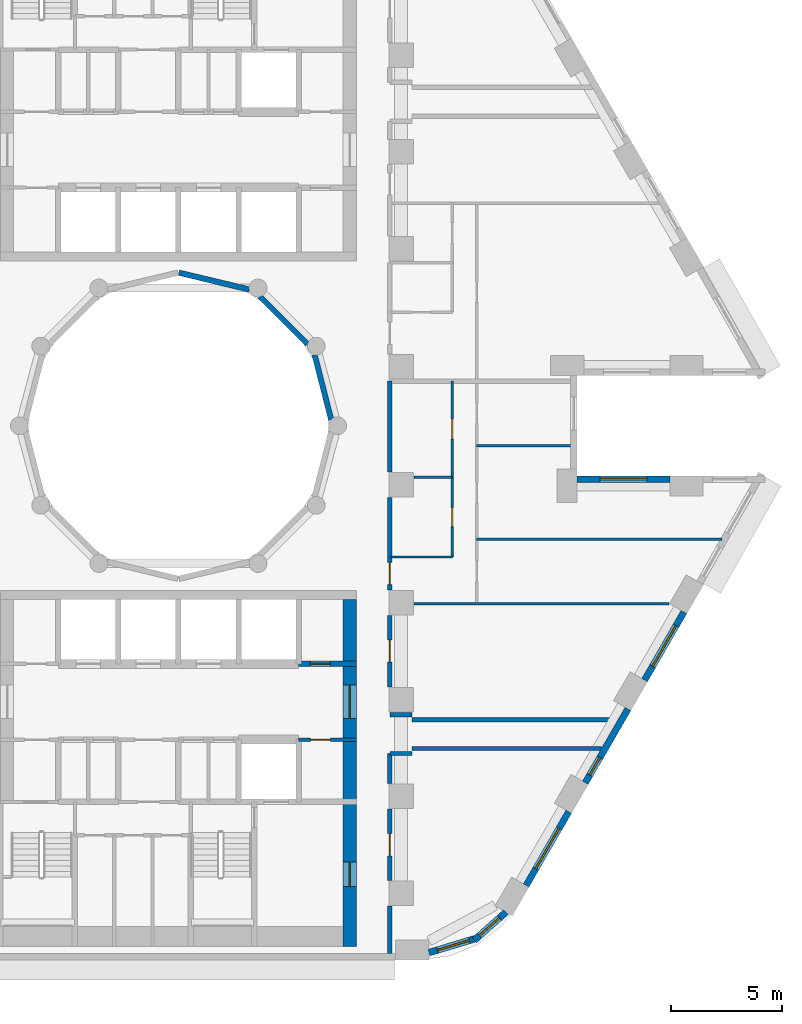
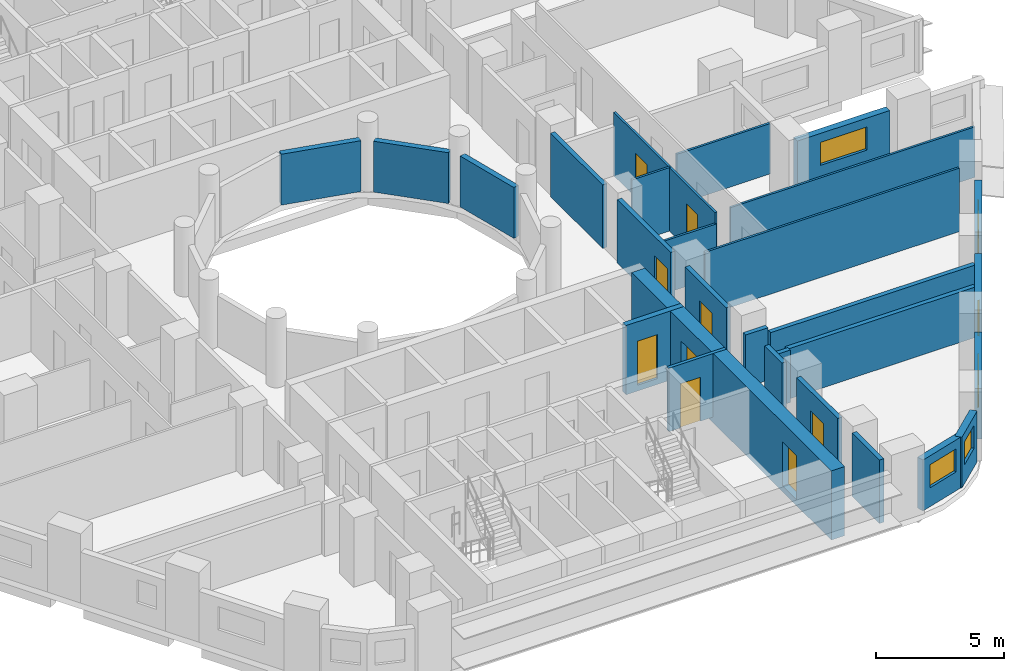
# One storey, part 5 of 13: 28 walls, 9 doors, 6 windows, 15 openings.
"""IFC4 building model written with IfcOpenShell, lengths in metres."""

from ifc_helpers import new_model, si_unit, direction, frame, frame_2d, origin, place, context, subcontext, project, spatial, rectangle, extrude, material, layer, layer_set, type_object, element, fill, save


model = new_model("IFC4")

# Units and contexts
model_context = context("Model", 3, precision=1e-05, world=origin(), true_north=direction((0.0, 1.0)))
body_context = subcontext(model_context, "Body", "Model", "MODEL_VIEW")
ifc_project = project(units=[si_unit("LENGTHUNIT", "METRE"), si_unit("AREAUNIT", "SQUARE_METRE"), si_unit("VOLUMEUNIT", "CUBIC_METRE"), si_unit("PLANEANGLEUNIT", "RADIAN"), si_unit("MASSUNIT", "GRAM", prefix="KILO")], contexts=[model_context])

# Site, building, storey
site_placement = place(None, origin())
site = spatial("IfcSite", under=ifc_project, at=site_placement, CompositionType="ELEMENT")
building_placement = place(site_placement, origin())
building = spatial("IfcBuilding", under=site, at=building_placement, Name="Nakaniwa Court", CompositionType="ELEMENT")
storey_placement = place(building_placement, frame((0.0, 0.0, 41.39990234375)))
storey = spatial("IfcBuildingStorey", under=building, at=storey_placement, Name="L10", CompositionType="ELEMENT", Elevation=41.39990234375)

# Wall
ifc_material_1 = material(Name="Acoustic double stud partition")
ifc_layer_1 = layer(ifc_material_1, 0.199951171875)
ifc_layer_set_1 = layer_set([ifc_layer_1], Name="Acoustic double stud partition")
wall_type_1 = type_object("IfcWallType", Name="Acoustic double stud partition 200", PredefinedType="PARTITIONING", material=ifc_layer_set_1)
wall_1_placement = place(storey_placement, frame((89.5, 56.300048828125, 0.0), z_axis=(0.0, 0.0, 1.0), x_axis=(0.0, 1.0, 0.0)))
element("IfcWall", 1, at=wall_1_placement, inside=storey, type_object=wall_type_1, Name="Partition PW-073", PredefinedType="PARTITIONING", context=body_context, shape_type="SweptSolid", body=[
    extrude(rectangle(XDim=2.133056640625, YDim=0.199951171875, at=frame_2d((1.06640625, 0.0))), origin(), (0.0, 0.0, 1.0), 3.025146484375),
])

# Wall, opening, door
wall_2_placement = place(storey_placement, frame((89.5, 62.782958984375, 0.0), z_axis=(0.0, 0.0, 1.0), x_axis=(0.0, -1.0, 0.0)))
wall_2 = element("IfcWall", 2, at=wall_2_placement, inside=storey, type_object=wall_type_1, Name="Partition PW-074", PredefinedType="PARTITIONING", context=body_context, shape_type="SweptSolid", body=[
    extrude(rectangle(XDim=3.216064453125, YDim=0.199951171875, at=frame_2d((1.60791015625, 0.0))), origin(), (0.0, 0.0, 1.0), 3.025146484375),
])
opening_1_placement = place(wall_2_placement, frame((1.10791015625, 0.0, 0.0)))
opening_1 = element("IfcOpeningElement", 3, at=opening_1_placement, cuts=wall_2, Name="Opening D-02-01", PredefinedType="OPENING", context=body_context, shape_type="SweptSolid", body=[
    extrude(rectangle(XDim=1.0, YDim=2.10009765625, at=frame_2d((0.5, 1.050048828125))), frame((0.0, 0.10986328125, 0.0), z_axis=(0.0, -1.0, 0.0), x_axis=(1.0, 0.0, 0.0)), (0.0, 0.0, 1.0), 0.219970703125),
])
ifc_material_2 = material(Name="Solid core timber door set, black veneer", Category="wood")
door_type_1 = type_object("IfcDoorType", Name="Internal door 1000", OperationType="NOTDEFINED", PredefinedType="DOOR", material=ifc_material_2)
door_1_placement = place(opening_1_placement, origin())
door_1 = element("IfcDoor", 4, at=door_1_placement, inside=storey, type_object=door_type_1, Name="Door D-02-01 L10-031", OperationType="SINGLE_SWING_RIGHT", OverallHeight=2.10009765625, OverallWidth=1.0, PredefinedType="DOOR", context=body_context, shape_type="SweptSolid", body=[
    extrude(rectangle(XDim=1.0, YDim=2.10009765625, at=frame_2d((0.5, 1.050048828125))), frame((0.0, 0.02490234375, 0.0), z_axis=(0.0, -1.0, 0.0), x_axis=(1.0, 0.0, 0.0)), (0.0, 0.0, 1.0), 0.050048828125),
])
fill(opening_1, door_1)

# Wall
wall_3_placement = place(storey_placement, frame((89.5, 63.9169921875, 0.0), z_axis=(0.0, 0.0, 1.0), x_axis=(0.0, 1.0, 0.0)))
element("IfcWall", 5, at=wall_3_placement, inside=storey, type_object=wall_type_1, Name="Partition PW-075", PredefinedType="PARTITIONING", context=body_context, shape_type="SweptSolid", body=[
    extrude(rectangle(XDim=1.361083984375, YDim=0.199951171875, at=frame_2d((0.6806640625, 0.0))), origin(), (0.0, 0.0, 1.0), 3.025146484375),
])

# Wall, opening, door
wall_4_placement = place(storey_placement, frame((89.5, 71.48291015625, 0.0), z_axis=(0.0, 0.0, 1.0), x_axis=(0.0, -1.0, 0.0)))
wall_4 = element("IfcWall", 6, at=wall_4_placement, inside=storey, type_object=wall_type_1, Name="Partition PW-076", PredefinedType="PARTITIONING", context=body_context, shape_type="SweptSolid", body=[
    extrude(rectangle(XDim=3.2158203125, YDim=0.199951171875, at=frame_2d((1.60791015625, 0.0))), origin(), (0.0, 0.0, 1.0), 3.025146484375),
])
opening_2_placement = place(wall_4_placement, frame((1.10791015625, 0.0, 0.0)))
opening_2 = element("IfcOpeningElement", 7, at=opening_2_placement, cuts=wall_4, Name="Opening D-02-05", PredefinedType="OPENING", context=body_context, shape_type="SweptSolid", body=[
    extrude(rectangle(XDim=1.0, YDim=2.10009765625, at=frame_2d((0.5, 1.050048828125))), frame((0.0, 0.10986328125, 0.0), z_axis=(0.0, -1.0, 0.0), x_axis=(1.0, 0.0, 0.0)), (0.0, 0.0, 1.0), 0.219970703125),
])
door_2_placement = place(opening_2_placement, origin())
door_2 = element("IfcDoor", 8, at=door_2_placement, inside=storey, type_object=door_type_1, Name="Door D-02-05 L10-057", OperationType="SINGLE_SWING_RIGHT", OverallHeight=2.10009765625, OverallWidth=1.0, PredefinedType="DOOR", context=body_context, shape_type="SweptSolid", body=[
    extrude(rectangle(XDim=1.0, YDim=2.10009765625, at=frame_2d((0.5, 1.050048828125))), frame((0.0, 0.02490234375, 0.0), z_axis=(0.0, -1.0, 0.0), x_axis=(1.0, 0.0, 0.0)), (0.0, 0.0, 1.0), 0.050048828125),
])
fill(opening_2, door_2)

wall_5_placement = place(storey_placement, frame((89.5, 76.782958984375, 0.0), z_axis=(0.0, 0.0, 1.0), x_axis=(0.0, -1.0, 0.0)))
wall_5 = element("IfcWall", 9, at=wall_5_placement, inside=storey, type_object=wall_type_1, Name="Partition PW-077", PredefinedType="PARTITIONING", context=body_context, shape_type="SweptSolid", body=[
    extrude(rectangle(XDim=4.166015625, YDim=0.199951171875, at=frame_2d((2.0830078125, 0.0))), origin(), (0.0, 0.0, 1.0), 3.025146484375),
])
opening_3_placement = place(wall_5_placement, frame((2.923095703125, 0.0, 0.0)))
opening_3 = element("IfcOpeningElement", 10, at=opening_3_placement, cuts=wall_5, Name="Opening D-01-01", PredefinedType="OPENING", context=body_context, shape_type="SweptSolid", body=[
    extrude(rectangle(XDim=1.0, YDim=2.10009765625, at=frame_2d((0.5, 1.050048828125))), frame((0.0, 0.10986328125, 0.0), z_axis=(0.0, -1.0, 0.0), x_axis=(1.0, 0.0, 0.0)), (0.0, 0.0, 1.0), 0.219970703125),
])
door_type_2 = type_object("IfcDoorType", Name="Flat entrance door 1000", OperationType="NOTDEFINED", PredefinedType="DOOR", material=ifc_material_2)
door_3_placement = place(opening_3_placement, origin())
door_3 = element("IfcDoor", 11, at=door_3_placement, inside=storey, type_object=door_type_2, Name="Door D-01-01 L10-032", OperationType="SINGLE_SWING_LEFT", OverallHeight=2.10009765625, OverallWidth=1.0, PredefinedType="DOOR", context=body_context, shape_type="SweptSolid", body=[
    extrude(rectangle(XDim=1.0, YDim=2.10009765625, at=frame_2d((0.5, 1.050048828125))), frame((0.0, 0.02490234375, 0.0), z_axis=(0.0, -1.0, 0.0), x_axis=(1.0, 0.0, 0.0)), (0.0, 0.0, 1.0), 0.050048828125),
])
fill(opening_3, door_3)

# Walls
wall_6_placement = place(storey_placement, frame((89.5, 77.9169921875, 0.0), z_axis=(0.0, 0.0, 1.0), x_axis=(0.0, 1.0, 0.0)))
element("IfcWall", 12, at=wall_6_placement, inside=storey, type_object=wall_type_1, Name="Partition PW-078", PredefinedType="PARTITIONING", context=body_context, shape_type="SweptSolid", body=[
    extrude(rectangle(XDim=4.0859375, YDim=0.199951171875, at=frame_2d((2.04296875, 0.0))), origin(), (0.0, 0.0, 1.0), 3.025146484375),
])
wall_7_placement = place(storey_placement, frame((90.5, 65.5, 0.0), z_axis=(0.0, 0.0, 1.0), x_axis=(1.0, 0.0, 0.0)))
element("IfcWall", 13, at=wall_7_placement, inside=storey, type_object=wall_type_1, Name="Partition PW-094", PredefinedType="PARTITIONING", context=body_context, shape_type="SweptSolid", body=[
    extrude(rectangle(XDim=8.494873046875, YDim=0.199951171875, at=frame_2d((4.24755859375, 0.0))), origin(), (0.0, 0.0, 1.0), 2.405029296875),
])
for number, where, z_axis, x_axis, name in (
    (14, (89.5, 65.27490234375, 0.0), (0.0, 0.0, 1.0), (1.0, 0.0, 0.0), "Partition PW-096"),
    (15, (89.5, 67.02490234375, 0.0), (0.0, 0.0, 1.0), (1.0, 0.0, 0.0), "Partition PW-098"),
):
    element("IfcWall", number, at=place(storey_placement, frame(where, z_axis=z_axis, x_axis=x_axis)), inside=storey, type_object=wall_type_1, Name=name, PredefinedType="PARTITIONING", context=body_context, shape_type="SweptSolid", body=[
        extrude(rectangle(XDim=1.0, YDim=0.199951171875, at=frame_2d((0.5, 0.0))), origin(), (0.0, 0.0, 1.0), 2.505126953125),
    ])
wall_8_placement = place(storey_placement, frame((90.5, 66.800048828125, 0.0), z_axis=(0.0, 0.0, 1.0), x_axis=(1.0, 0.0, 0.0)))
element("IfcWall", 16, at=wall_8_placement, inside=storey, type_object=wall_type_1, Name="Partition PW-100", PredefinedType="PARTITIONING", context=body_context, shape_type="SweptSolid", body=[
    extrude(rectangle(XDim=9.245361328125, YDim=0.199951171875, at=frame_2d((4.62255859375, 0.0))), origin(), (0.0, 0.0, 1.0), 2.405029296875),
])

# Wall, opening, window
ifc_material_3 = material(Name="Charcoal ceramic cladding")
ifc_layer_2 = layer(ifc_material_3, 0.02, Name="Ceramic cladding")
ifc_material_4 = material(Name="Ventilated air cavity")
ifc_layer_3 = layer(ifc_material_4, 0.04, ventilated=True, Name="Ventilated cavity")
ifc_material_5 = material(Name="Mineral wool insulation")
ifc_layer_4 = layer(ifc_material_5, 0.1, Name="Insulation")
ifc_material_6 = material(Name="Cement bonded sheathing board")
ifc_layer_5 = layer(ifc_material_6, 0.012, Name="Sheathing")
ifc_material_7 = material(Name="Cold-formed galvanised stud frame with mineral wool infill")
ifc_layer_6 = layer(ifc_material_7, 0.1, Name="Stud frame")
ifc_material_8 = material(Name="Fire-rated gypsum plasterboard lining")
ifc_layer_7 = layer(ifc_material_8, 0.028, Name="Lining")
ifc_layer_set_2 = layer_set([ifc_layer_2, ifc_layer_3, ifc_layer_4, ifc_layer_5, ifc_layer_6, ifc_layer_7], Name="Charcoal ceramic faced external wall system")
wall_type_2 = type_object("IfcWallType", Name="Black ceramic faced external wall 300", PredefinedType="SOLIDWALL", material=ifc_layer_set_2)
wall_9_placement = place(storey_placement, frame((91.25341796875, 56.331298828125, 0.0), z_axis=(0.0, 0.0, 1.0), x_axis=(0.957433631901, 0.288653495569, 0.0)))
wall_9 = element("IfcWall", 17, at=wall_9_placement, inside=storey, type_object=wall_type_2, Name="L10 external wall 27", PredefinedType="SOLIDWALL", context=body_context, shape_type="SweptSolid", body=[
    extrude(rectangle(XDim=2.212646484375, YDim=0.300048828125, at=frame_2d((1.1064453125, 0.0))), origin(), (0.0, 0.0, 1.0), 2.425048828125),
])
opening_4_placement = place(wall_9_placement, frame((0.394287109375, 0.0, 0.89990234375)))
opening_4 = element("IfcOpeningElement", 18, at=opening_4_placement, cuts=wall_9, Name="Opening W5.26", PredefinedType="OPENING", context=body_context, shape_type="SweptSolid", body=[
    extrude(rectangle(XDim=1.5, YDim=1.10009765625, at=frame_2d((0.75, 0.550048828125))), frame((0.0, 0.159912109375, 0.0), z_axis=(0.0, -1.0, 0.0), x_axis=(1.0, 0.0, 0.0)), (0.0, 0.0, 1.0), 0.320068359375),
])
ifc_material_9 = material(Name="Black anodised aluminium frame with dark low-E laminated double glazing", Category="aluminium")
window_type_1 = type_object("IfcWindowType", Name="Dark glass window 1500x1100 sill 900", PartitioningType="SINGLE_PANEL", PredefinedType="WINDOW", material=ifc_material_9)
window_1_placement = place(opening_4_placement, origin())
window_1 = element("IfcWindow", 19, at=window_1_placement, inside=storey, type_object=window_type_1, Name="L10 habitable room window 27-0", OverallHeight=1.10009765625, OverallWidth=1.5, PartitioningType="SINGLE_PANEL", PredefinedType="WINDOW", context=body_context, shape_type="SweptSolid", body=[
    extrude(rectangle(XDim=1.5, YDim=1.10009765625, at=frame_2d((0.75, 0.550048828125))), frame((0.0, 0.030029296875, 0.0), z_axis=(0.0, -1.0, 0.0), x_axis=(1.0, 0.0, 0.0)), (0.0, 0.0, 1.0), 0.06005859375),
])
fill(opening_4, window_1)

wall_10_placement = place(storey_placement, frame((93.288818359375, 56.882568359375, 0.0), z_axis=(0.0, 0.0, 1.0), x_axis=(0.746941556212, 0.664889698825, 0.0)))
wall_10 = element("IfcWall", 20, at=wall_10_placement, inside=storey, type_object=wall_type_2, Name="L10 external wall 28", PredefinedType="SOLIDWALL", context=body_context, shape_type="SweptSolid", body=[
    extrude(rectangle(XDim=1.9013671875, YDim=0.300048828125, at=frame_2d((0.95068359375, 0.0))), origin(), (0.0, 0.0, 1.0), 2.425048828125),
])
opening_5_placement = place(wall_10_placement, frame((0.31005859375, 0.0, 0.89990234375)))
opening_5 = element("IfcOpeningElement", 21, at=opening_5_placement, cuts=wall_10, Name="Opening W6.27", PredefinedType="OPENING", context=body_context, shape_type="SweptSolid", body=[
    extrude(rectangle(XDim=1.199951171875, YDim=1.10009765625, at=frame_2d((0.60009765625, 0.550048828125))), frame((0.0, 0.159912109375, 0.0), z_axis=(0.0, -1.0, 0.0), x_axis=(1.0, 0.0, 0.0)), (0.0, 0.0, 1.0), 0.320068359375),
])
window_type_2 = type_object("IfcWindowType", Name="Dark glass window 1200x1100 sill 900", PartitioningType="SINGLE_PANEL", PredefinedType="WINDOW", material=ifc_material_9)
window_2_placement = place(opening_5_placement, origin())
window_2 = element("IfcWindow", 22, at=window_2_placement, inside=storey, type_object=window_type_2, Name="L10 habitable room window 28-0", OverallHeight=1.10009765625, OverallWidth=1.199951171875, PartitioningType="SINGLE_PANEL", PredefinedType="WINDOW", context=body_context, shape_type="SweptSolid", body=[
    extrude(rectangle(XDim=1.199951171875, YDim=1.10009765625, at=frame_2d((0.60009765625, 0.550048828125))), frame((0.0, 0.030029296875, 0.0), z_axis=(0.0, -1.0, 0.0), x_axis=(1.0, 0.0, 0.0)), (0.0, 0.0, 1.0), 0.06005859375),
])
fill(opening_5, window_2)

wall_11_placement = place(storey_placement, frame((95.615234375, 59.346435546875, 0.0), z_axis=(0.0, 0.0, 1.0), x_axis=(0.499974163209, 0.866040320149, 0.0)))
wall_11 = element("IfcWall", 23, at=wall_11_placement, inside=storey, type_object=wall_type_2, Name="L10 external wall 29", PredefinedType="SOLIDWALL", context=body_context, shape_type="SweptSolid", body=[
    extrude(rectangle(XDim=3.834228515625, YDim=0.300048828125, at=frame_2d((1.9169921875, 0.0))), origin(), (0.0, 0.0, 1.0), 2.425048828125),
])
opening_6_placement = place(wall_11_placement, frame((0.8671875, 0.0, 0.89990234375)))
opening_6 = element("IfcOpeningElement", 24, at=opening_6_placement, cuts=wall_11, Name="Opening W7.28", PredefinedType="OPENING", context=body_context, shape_type="SweptSolid", body=[
    extrude(rectangle(XDim=2.10009765625, YDim=1.10009765625, at=frame_2d((1.050048828125, 0.550048828125))), frame((0.0, 0.159912109375, 0.0), z_axis=(0.0, -1.0, 0.0), x_axis=(1.0, 0.0, 0.0)), (0.0, 0.0, 1.0), 0.320068359375),
])
window_type_3 = type_object("IfcWindowType", Name="Dark glass window 2100x1100 sill 900", PartitioningType="SINGLE_PANEL", PredefinedType="WINDOW", material=ifc_material_9)
window_3_placement = place(opening_6_placement, origin())
window_3 = element("IfcWindow", 25, at=window_3_placement, inside=storey, type_object=window_type_3, Name="L10 habitable room window 29-0", OverallHeight=1.10009765625, OverallWidth=2.10009765625, PartitioningType="SINGLE_PANEL", PredefinedType="WINDOW", context=body_context, shape_type="SweptSolid", body=[
    extrude(rectangle(XDim=2.10009765625, YDim=1.10009765625, at=frame_2d((1.050048828125, 0.550048828125))), frame((0.0, 0.030029296875, 0.0), z_axis=(0.0, -1.0, 0.0), x_axis=(1.0, 0.0, 0.0)), (0.0, 0.0, 1.0), 0.06005859375),
])
fill(opening_6, window_3)

wall_12_placement = place(storey_placement, frame((98.2783203125, 63.958984375, 0.0), z_axis=(0.0, 0.0, 1.0), x_axis=(0.500001735503, 0.866024401789, 0.0)))
wall_12 = element("IfcWall", 26, at=wall_12_placement, inside=storey, type_object=wall_type_2, Name="L10 external wall 30", PredefinedType="SOLIDWALL", context=body_context, shape_type="SweptSolid", body=[
    extrude(rectangle(XDim=3.833984375, YDim=0.300048828125, at=frame_2d((1.9169921875, 0.0))), origin(), (0.0, 0.0, 1.0), 2.425048828125),
])
opening_7_placement = place(wall_12_placement, frame((0.402587890625, 0.0, 0.89990234375)))
opening_7 = element("IfcOpeningElement", 27, at=opening_7_placement, cuts=wall_12, Name="Opening W9.29", PredefinedType="OPENING", context=body_context, shape_type="SweptSolid", body=[
    extrude(rectangle(XDim=0.89990234375, YDim=1.10009765625, at=frame_2d((0.449951171875, 0.550048828125))), frame((0.0, 0.159912109375, 0.0), z_axis=(0.0, -1.0, 0.0), x_axis=(1.0, 0.0, 0.0)), (0.0, 0.0, 1.0), 0.320068359375),
])
window_type_4 = type_object("IfcWindowType", Name="Dark glass window 900x1100 sill 900", PartitioningType="SINGLE_PANEL", PredefinedType="WINDOW", material=ifc_material_9)
window_4_placement = place(opening_7_placement, origin())
window_4 = element("IfcWindow", 28, at=window_4_placement, inside=storey, type_object=window_type_4, Name="L10 habitable room window 30-0", OverallHeight=1.10009765625, OverallWidth=0.89990234375, PartitioningType="SINGLE_PANEL", PredefinedType="WINDOW", context=body_context, shape_type="SweptSolid", body=[
    extrude(rectangle(XDim=0.89990234375, YDim=1.10009765625, at=frame_2d((0.449951171875, 0.550048828125))), frame((0.0, 0.030029296875, 0.0), z_axis=(0.0, -1.0, 0.0), x_axis=(1.0, 0.0, 0.0)), (0.0, 0.0, 1.0), 0.06005859375),
])
fill(opening_7, window_4)

wall_13_placement = place(storey_placement, frame((100.94140625, 68.5712890625, 0.0), z_axis=(0.0, 0.0, 1.0), x_axis=(0.499977402622, 0.866038449993, 0.0)))
wall_13 = element("IfcWall", 29, at=wall_13_placement, inside=storey, type_object=wall_type_2, Name="L10 external wall 31", PredefinedType="SOLIDWALL", context=body_context, shape_type="SweptSolid", body=[
    extrude(rectangle(XDim=3.536865234375, YDim=0.300048828125, at=frame_2d((1.7685546875, 0.0))), origin(), (0.0, 0.0, 1.0), 2.425048828125),
])
opening_8_placement = place(wall_13_placement, frame((0.718505859375, 0.0, 0.89990234375)))
opening_8 = element("IfcOpeningElement", 30, at=opening_8_placement, cuts=wall_13, Name="Opening W7.30", PredefinedType="OPENING", context=body_context, shape_type="SweptSolid", body=[
    extrude(rectangle(XDim=2.10009765625, YDim=1.10009765625, at=frame_2d((1.050048828125, 0.550048828125))), frame((0.0, 0.159912109375, 0.0), z_axis=(0.0, -1.0, 0.0), x_axis=(1.0, 0.0, 0.0)), (0.0, 0.0, 1.0), 0.320068359375),
])
window_5_placement = place(opening_8_placement, origin())
window_5 = element("IfcWindow", 31, at=window_5_placement, inside=storey, type_object=window_type_3, Name="L10 habitable room window 31-0", OverallHeight=1.10009765625, OverallWidth=2.10009765625, PartitioningType="SINGLE_PANEL", PredefinedType="WINDOW", context=body_context, shape_type="SweptSolid", body=[
    extrude(rectangle(XDim=2.10009765625, YDim=1.10009765625, at=frame_2d((1.050048828125, 0.550048828125))), frame((0.0, 0.030029296875, 0.0), z_axis=(0.0, -1.0, 0.0), x_axis=(1.0, 0.0, 0.0)), (0.0, 0.0, 1.0), 0.06005859375),
])
fill(opening_8, window_5)

wall_14_placement = place(storey_placement, frame((102.076904296875, 77.60009765625, 0.0), z_axis=(0.0, 0.0, 1.0), x_axis=(-1.0, 0.0, 0.0)))
wall_14 = element("IfcWall", 32, at=wall_14_placement, inside=storey, type_object=wall_type_2, Name="L10 external wall 34", PredefinedType="SOLIDWALL", context=body_context, shape_type="SweptSolid", body=[
    extrude(rectangle(XDim=4.172607421875, YDim=0.300048828125, at=frame_2d((2.08642578125, 0.0))), origin(), (0.0, 0.0, 1.0), 2.425048828125),
])
opening_9_placement = place(wall_14_placement, frame((1.036376953125, 0.0, 0.89990234375)))
opening_9 = element("IfcOpeningElement", 33, at=opening_9_placement, cuts=wall_14, Name="Opening W7.34", PredefinedType="OPENING", context=body_context, shape_type="SweptSolid", body=[
    extrude(rectangle(XDim=2.10009765625, YDim=1.10009765625, at=frame_2d((1.050048828125, 0.550048828125))), frame((0.0, 0.159912109375, 0.0), z_axis=(0.0, -1.0, 0.0), x_axis=(1.0, 0.0, 0.0)), (0.0, 0.0, 1.0), 0.320068359375),
])
window_6_placement = place(opening_9_placement, origin())
window_6 = element("IfcWindow", 34, at=window_6_placement, inside=storey, type_object=window_type_3, Name="L10 living window 34-0", OverallHeight=1.10009765625, OverallWidth=2.10009765625, PartitioningType="SINGLE_PANEL", PredefinedType="WINDOW", context=body_context, shape_type="SweptSolid", body=[
    extrude(rectangle(XDim=2.10009765625, YDim=1.10009765625, at=frame_2d((1.050048828125, 0.550048828125))), frame((0.0, 0.030029296875, 0.0), z_axis=(0.0, -1.0, 0.0), x_axis=(1.0, 0.0, 0.0)), (0.0, 0.0, 1.0), 0.06005859375),
])
fill(opening_9, window_6)

# Wall, opening, door
ifc_material_10 = material(Name="Blockwork partition", Category="masonry")
ifc_layer_8 = layer(ifc_material_10, 0.14990234375)
ifc_layer_set_3 = layer_set([ifc_layer_8], Name="Blockwork partition")
wall_type_3 = type_object("IfcWallType", Name="Blockwork partition 150", PredefinedType="PARTITIONING", material=ifc_layer_set_3)
wall_15_placement = place(storey_placement, frame((88.0, 65.89990234375, 0.0), z_axis=(0.0, 0.0, 1.0), x_axis=(-1.0, 0.0, 0.0)))
wall_15 = element("IfcWall", 35, at=wall_15_placement, inside=storey, type_object=wall_type_3, Name="Partition PW-054", PredefinedType="PARTITIONING", context=body_context, shape_type="SweptSolid", body=[
    extrude(rectangle(XDim=2.60302734375, YDim=0.14990234375, at=frame_2d((1.301513671875, 0.0))), origin(), (0.0, 0.0, 1.0), 3.025146484375),
])
opening_10_placement = place(wall_15_placement, frame((1.175048828125, 0.0, 0.0)))
opening_10 = element("IfcOpeningElement", 36, at=opening_10_placement, cuts=wall_15, Name="Opening D-05-17", PredefinedType="OPENING", context=body_context, shape_type="SweptSolid", body=[
    extrude(rectangle(XDim=0.89990234375, YDim=2.10009765625, at=frame_2d((0.449951171875, 1.050048828125))), frame((0.0, 0.0849609375, 0.0), z_axis=(0.0, -1.0, 0.0), x_axis=(1.0, 0.0, 0.0)), (0.0, 0.0, 1.0), 0.169921875),
])
ifc_material_11 = material(Name="Fire rated steel door set", Category="steel")
door_type_3 = type_object("IfcDoorType", Name="Service room door 900", OperationType="NOTDEFINED", PredefinedType="DOOR", material=ifc_material_11)
door_4_placement = place(opening_10_placement, origin())
door_4 = element("IfcDoor", 37, at=door_4_placement, inside=storey, type_object=door_type_3, Name="Door D-05-17 L10-024", OperationType="SINGLE_SWING_LEFT", OverallHeight=2.10009765625, OverallWidth=0.89990234375, PredefinedType="DOOR", context=body_context, shape_type="SweptSolid", body=[
    extrude(rectangle(XDim=0.89990234375, YDim=2.10009765625, at=frame_2d((0.449951171875, 1.050048828125))), frame((0.0, 0.02490234375, 0.0), z_axis=(0.0, -1.0, 0.0), x_axis=(1.0, 0.0, 0.0)), (0.0, 0.0, 1.0), 0.050048828125),
])
fill(opening_10, door_4)

# Walls
ifc_layer_9 = layer(ifc_material_3, 0.02, Name="Ceramic cladding")
ifc_layer_10 = layer(ifc_material_4, 0.04, ventilated=True, Name="Ventilated cavity")
ifc_layer_11 = layer(ifc_material_5, 0.075, Name="Insulation")
ifc_layer_12 = layer(ifc_material_6, 0.012, Name="Sheathing")
ifc_layer_13 = layer(ifc_material_7, 0.075, Name="Stud frame")
ifc_layer_14 = layer(ifc_material_8, 0.028, Name="Lining")
ifc_layer_set_4 = layer_set([ifc_layer_9, ifc_layer_10, ifc_layer_11, ifc_layer_12, ifc_layer_13, ifc_layer_14], Name="Charcoal ceramic faced external wall system")
wall_type_4 = type_object("IfcWallType", Name="Charcoal ceramic faced well wall 250", PredefinedType="SOLIDWALL", material=ifc_layer_set_4)
wall_16_placement = place(storey_placement, frame((80.029052734375, 86.87158203125, 0.0), z_axis=(0.0, 0.0, 1.0), x_axis=(0.972773113459, -0.231759508395, 0.0)))
element("IfcWall", 38, at=wall_16_placement, inside=storey, type_object=wall_type_4, Name="L10 external wall 45", PredefinedType="SOLIDWALL", context=body_context, shape_type="SweptSolid", body=[
    extrude(rectangle(XDim=3.24560546875, YDim=0.25, at=frame_2d((1.622802734375, 0.0))), origin(), (0.0, 0.0, 1.0), 2.425048828125),
])
wall_17_placement = place(storey_placement, frame((83.660888671875, 85.8056640625, 0.0), z_axis=(0.0, 0.0, 1.0), x_axis=(0.707106781187, -0.707106781187, 0.0)))
element("IfcWall", 39, at=wall_17_placement, inside=storey, type_object=wall_type_4, Name="L10 external wall 46", PredefinedType="SOLIDWALL", context=body_context, shape_type="SweptSolid", body=[
    extrude(rectangle(XDim=3.033203125, YDim=0.25, at=frame_2d((1.5166015625, 0.0))), origin(), (0.0, 0.0, 1.0), 2.425048828125),
])
wall_18_placement = place(storey_placement, frame((86.11669921875, 83.186767578125, 0.0), z_axis=(0.0, 0.0, 1.0), x_axis=(0.247055971283, -0.969001211069, 0.0)))
element("IfcWall", 40, at=wall_18_placement, inside=storey, type_object=wall_type_4, Name="L10 external wall 47", PredefinedType="SOLIDWALL", context=body_context, shape_type="SweptSolid", body=[
    extrude(rectangle(XDim=3.010009765625, YDim=0.25, at=frame_2d((1.5048828125, 0.0))), origin(), (0.0, 0.0, 1.0), 2.425048828125),
])

# Wall, openings, doors
ifc_material_12 = material(Name="Concrete C100/115", Category="concrete")
ifc_layer_15 = layer(ifc_material_12, 0.60009765625)
ifc_layer_set_5 = layer_set([ifc_layer_15], Name="Concrete C100/115")
wall_type_5 = type_object("IfcWallType", Name="Concrete core side wall 600 C100", PredefinedType="SHEAR", material=ifc_layer_set_5)
wall_19_placement = place(storey_placement, frame((87.699951171875, 72.199951171875, -0.27490234375), z_axis=(0.0, 0.0, 1.0), x_axis=(0.0, -1.0, 0.0)))
wall_19 = element("IfcWall", 41, at=wall_19_placement, inside=storey, type_object=wall_type_5, Name="Core wall SW-51", PredefinedType="SHEAR", context=body_context, shape_type="SweptSolid", body=[
    extrude(rectangle(XDim=15.599853515625, YDim=0.60009765625, at=frame_2d((7.7998046875, 0.0))), origin(), (0.0, 0.0, 1.0), 3.300048828125),
])
opening_11_placement = place(wall_19_placement, frame((3.85009765625, 0.0, 0.27490234375)))
opening_11 = element("IfcOpeningElement", 42, at=opening_11_placement, cuts=wall_19, Name="Opening D-07-03", PredefinedType="OPENING", context=body_context, shape_type="SweptSolid", body=[
    extrude(rectangle(XDim=1.5, YDim=2.10009765625, at=frame_2d((0.75, 1.050048828125))), frame((0.0, 0.31005859375, 0.0), z_axis=(0.0, -1.0, 0.0), x_axis=(1.0, 0.0, 0.0)), (0.0, 0.0, 1.0), 0.6201171875),
])
opening_12_placement = place(wall_19_placement, frame((11.800048828125, 0.0, 0.27490234375)))
opening_12 = element("IfcOpeningElement", 43, at=opening_12_placement, cuts=wall_19, Name="Opening D-10-02", PredefinedType="OPENING", context=body_context, shape_type="SweptSolid", body=[
    extrude(rectangle(XDim=1.10009765625, YDim=2.10009765625, at=frame_2d((0.550048828125, 1.050048828125))), frame((0.0, 0.31005859375, 0.0), z_axis=(0.0, -1.0, 0.0), x_axis=(1.0, 0.0, 0.0)), (0.0, 0.0, 1.0), 0.6201171875),
])
door_type_4 = type_object("IfcDoorType", Name="Firefighting lobby door 1100", OperationType="NOTDEFINED", PredefinedType="DOOR", material=ifc_material_11)
door_5_placement = place(opening_12_placement, origin())
door_5 = element("IfcDoor", 44, at=door_5_placement, inside=storey, type_object=door_type_4, Name="Door D-10-02 L10-065", OperationType="SINGLE_SWING_RIGHT", OverallHeight=2.10009765625, OverallWidth=1.10009765625, PredefinedType="DOOR", context=body_context, shape_type="SweptSolid", body=[
    extrude(rectangle(XDim=1.10009765625, YDim=2.10009765625, at=frame_2d((0.550048828125, 1.050048828125))), frame((0.0, 0.02490234375, 0.0), z_axis=(0.0, -1.0, 0.0), x_axis=(1.0, 0.0, 0.0)), (0.0, 0.0, 1.0), 0.050048828125),
])
fill(opening_12, door_5)
ifc_material_13 = material(Name="Glazed fire rated steel double door set", Category="steel")
door_type_5 = type_object("IfcDoorType", Name="Lobby double door 1500", OperationType="NOTDEFINED", PredefinedType="DOOR", material=ifc_material_13)
door_6_placement = place(opening_11_placement, origin())
door_6 = element("IfcDoor", 45, at=door_6_placement, inside=storey, type_object=door_type_5, Name="Door D-07-03 L10-063", OperationType="DOUBLE_DOOR_SINGLE_SWING", OverallHeight=2.10009765625, OverallWidth=1.5, PredefinedType="DOOR", context=body_context, shape_type="SweptSolid", body=[
    extrude(rectangle(XDim=1.5, YDim=2.10009765625, at=frame_2d((0.75, 1.050048828125))), frame((0.0, 0.02490234375, 0.0), z_axis=(0.0, -1.0, 0.0), x_axis=(1.0, 0.0, 0.0)), (0.0, 0.0, 1.0), 0.050048828125),
])
fill(opening_11, door_6)

# Wall, opening, door
ifc_layer_16 = layer(ifc_material_12, 0.25)
ifc_layer_set_6 = layer_set([ifc_layer_16], Name="Concrete C100/115")
wall_type_6 = type_object("IfcWallType", Name="Concrete shaft wall 250 C100", PredefinedType="SHEAR", material=ifc_layer_set_6)
wall_20_placement = place(storey_placement, frame((85.39990234375, 69.300048828125, -0.27490234375), z_axis=(0.0, 0.0, 1.0), x_axis=(1.0, 0.0, 0.0)))
wall_20 = element("IfcWall", 46, at=wall_20_placement, inside=storey, type_object=wall_type_6, Name="Core wall SW-50", PredefinedType="SHEAR", context=body_context, shape_type="SweptSolid", body=[
    extrude(rectangle(XDim=2.60009765625, YDim=0.25, at=frame_2d((1.300048828125, 0.0))), origin(), (0.0, 0.0, 1.0), 3.300048828125),
])
opening_13_placement = place(wall_20_placement, frame((0.52490234375, 0.0, 0.27490234375)))
opening_13 = element("IfcOpeningElement", 47, at=opening_13_placement, cuts=wall_20, Name="Opening D-05-12", PredefinedType="OPENING", context=body_context, shape_type="SweptSolid", body=[
    extrude(rectangle(XDim=0.89990234375, YDim=2.10009765625, at=frame_2d((0.449951171875, 1.050048828125))), frame((0.0, 0.135009765625, 0.0), z_axis=(0.0, -1.0, 0.0), x_axis=(1.0, 0.0, 0.0)), (0.0, 0.0, 1.0), 0.27001953125),
])
door_7_placement = place(opening_13_placement, origin())
door_7 = element("IfcDoor", 48, at=door_7_placement, inside=storey, type_object=door_type_3, Name="Door D-05-12 L10-017", OperationType="SINGLE_SWING_RIGHT", OverallHeight=2.10009765625, OverallWidth=0.89990234375, PredefinedType="DOOR", context=body_context, shape_type="SweptSolid", body=[
    extrude(rectangle(XDim=0.89990234375, YDim=2.10009765625, at=frame_2d((0.449951171875, 1.050048828125))), frame((0.0, 0.02490234375, 0.0), z_axis=(0.0, -1.0, 0.0), x_axis=(1.0, 0.0, 0.0)), (0.0, 0.0, 1.0), 0.050048828125),
])
fill(opening_13, door_7)

# Walls
ifc_material_14 = material(Name="Single stud plasterboard partition")
ifc_layer_17 = layer(ifc_material_14, 0.10009765625)
ifc_layer_set_7 = layer_set([ifc_layer_17], Name="Single stud plasterboard partition")
wall_type_7 = type_object("IfcWallType", Name="Single stud plasterboard partition 100", PredefinedType="PARTITIONING", material=ifc_layer_set_7)
wall_21_placement = place(storey_placement, frame((90.570068359375, 77.69091796875, 0.0), z_axis=(0.0, 0.0, 1.0), x_axis=(1.0, 0.0, 0.0)))
element("IfcWall", 49, at=wall_21_placement, inside=storey, type_object=wall_type_7, Name="Partition PW-113", PredefinedType="PARTITIONING", context=body_context, shape_type="SweptSolid", body=[
    extrude(rectangle(XDim=1.72998046875, YDim=0.10009765625, at=frame_2d((0.864990234375, 0.0))), origin(), (0.0, 0.0, 1.0), 3.025146484375),
])
wall_22_placement = place(storey_placement, frame((89.5, 74.10009765625, 0.0), z_axis=(0.0, 0.0, 1.0), x_axis=(1.0, 0.0, 0.0)))
element("IfcWall", 50, at=wall_22_placement, inside=storey, type_object=wall_type_7, Name="Partition PW-115", PredefinedType="PARTITIONING", context=body_context, shape_type="SweptSolid", body=[
    extrude(rectangle(XDim=2.800048828125, YDim=0.10009765625, at=frame_2d((1.39990234375, 0.0))), origin(), (0.0, 0.0, 1.0), 2.505126953125),
])

# Wall, openings, doors
wall_23_placement = place(storey_placement, frame((92.300048828125, 74.10009765625, 0.0), z_axis=(0.0, 0.0, 1.0), x_axis=(0.0, 1.0, 0.0)))
wall_23 = element("IfcWall", 51, at=wall_23_placement, inside=storey, type_object=wall_type_7, Name="Partition PW-116", PredefinedType="PARTITIONING", context=body_context, shape_type="SweptSolid", body=[
    extrude(rectangle(XDim=7.89990234375, YDim=0.10009765625, at=frame_2d((3.949951171875, 0.0))), origin(), (0.0, 0.0, 1.0), 3.025146484375),
])
opening_14_placement = place(wall_23_placement, frame((1.3701171875, 0.0, 0.0)))
opening_14 = element("IfcOpeningElement", 52, at=opening_14_placement, cuts=wall_23, Name="Opening D-03-01", PredefinedType="OPENING", context=body_context, shape_type="SweptSolid", body=[
    extrude(rectangle(XDim=0.85009765625, YDim=2.10009765625, at=frame_2d((0.425048828125, 1.050048828125))), frame((0.0, 0.06005859375, 0.0), z_axis=(0.0, -1.0, 0.0), x_axis=(1.0, 0.0, 0.0)), (0.0, 0.0, 1.0), 0.1201171875),
])
opening_15_placement = place(wall_23_placement, frame((5.294921875, 0.0, 0.0)))
opening_15 = element("IfcOpeningElement", 53, at=opening_15_placement, cuts=wall_23, Name="Opening D-33-01", PredefinedType="OPENING", context=body_context, shape_type="SweptSolid", body=[
    extrude(rectangle(XDim=0.89990234375, YDim=2.10009765625, at=frame_2d((0.449951171875, 1.050048828125))), frame((0.0, 0.06005859375, 0.0), z_axis=(0.0, -1.0, 0.0), x_axis=(1.0, 0.0, 0.0)), (0.0, 0.0, 1.0), 0.1201171875),
])
ifc_material_15 = material(Name="Moisture sealed timber door set", Category="wood")
door_type_6 = type_object("IfcDoorType", Name="Bathroom door 850", OperationType="NOTDEFINED", PredefinedType="DOOR", material=ifc_material_15)
door_8_placement = place(opening_14_placement, origin())
door_8 = element("IfcDoor", 54, at=door_8_placement, inside=storey, type_object=door_type_6, Name="Door D-03-01 L10-033", OperationType="SINGLE_SWING_RIGHT", OverallHeight=2.10009765625, OverallWidth=0.85009765625, PredefinedType="DOOR", context=body_context, shape_type="SweptSolid", body=[
    extrude(rectangle(XDim=0.85009765625, YDim=2.10009765625, at=frame_2d((0.425048828125, 1.050048828125))), frame((0.0, 0.02490234375, 0.0), z_axis=(0.0, -1.0, 0.0), x_axis=(1.0, 0.0, 0.0)), (0.0, 0.0, 1.0), 0.050048828125),
])
fill(opening_14, door_8)
door_type_7 = type_object("IfcDoorType", Name="Internal door 900", OperationType="NOTDEFINED", PredefinedType="DOOR", material=ifc_material_2)
door_9_placement = place(opening_15_placement, origin())
door_9 = element("IfcDoor", 55, at=door_9_placement, inside=storey, type_object=door_type_7, Name="Door D-33-01 L10-034", OperationType="SINGLE_SWING_LEFT", OverallHeight=2.10009765625, OverallWidth=0.89990234375, PredefinedType="DOOR", context=body_context, shape_type="SweptSolid", body=[
    extrude(rectangle(XDim=0.89990234375, YDim=2.10009765625, at=frame_2d((0.449951171875, 1.050048828125))), frame((0.0, 0.02490234375, 0.0), z_axis=(0.0, -1.0, 0.0), x_axis=(1.0, 0.0, 0.0)), (0.0, 0.0, 1.0), 0.050048828125),
])
fill(opening_15, door_9)

# Walls
wall_24_placement = place(storey_placement, frame((90.570068359375, 72.0, 0.0), z_axis=(0.0, 0.0, 1.0), x_axis=(1.0, 0.0, 0.0)))
element("IfcWall", 56, at=wall_24_placement, inside=storey, type_object=wall_type_7, Name="Partition PW-121", PredefinedType="PARTITIONING", context=body_context, shape_type="SweptSolid", body=[
    extrude(rectangle(XDim=11.461669921875, YDim=0.10009765625, at=frame_2d((5.73095703125, 0.0))), origin(), (0.0, 0.0, 1.0), 3.025146484375),
])
wall_25_placement = place(storey_placement, frame((93.39990234375, 74.903076171875, 0.0), z_axis=(0.0, 0.0, 1.0), x_axis=(1.0, 0.0, 0.0)))
element("IfcWall", 57, at=wall_25_placement, inside=storey, type_object=wall_type_7, Name="Partition PW-122", PredefinedType="PARTITIONING", context=body_context, shape_type="SweptSolid", body=[
    extrude(rectangle(XDim=11.02392578125, YDim=0.10009765625, at=frame_2d((5.511962890625, 0.0))), origin(), (0.0, 0.0, 1.0), 2.405029296875),
])
wall_26_placement = place(storey_placement, frame((93.39990234375, 79.096923828125, 0.0), z_axis=(0.0, 0.0, 1.0), x_axis=(1.0, 0.0, 0.0)))
element("IfcWall", 58, at=wall_26_placement, inside=storey, type_object=wall_type_7, Name="Partition PW-123", PredefinedType="PARTITIONING", context=body_context, shape_type="SweptSolid", body=[
    extrude(rectangle(XDim=4.20849609375, YDim=0.10009765625, at=frame_2d((2.104248046875, 0.0))), origin(), (0.0, 0.0, 1.0), 2.405029296875),
])

save(model, "model.ifc")
